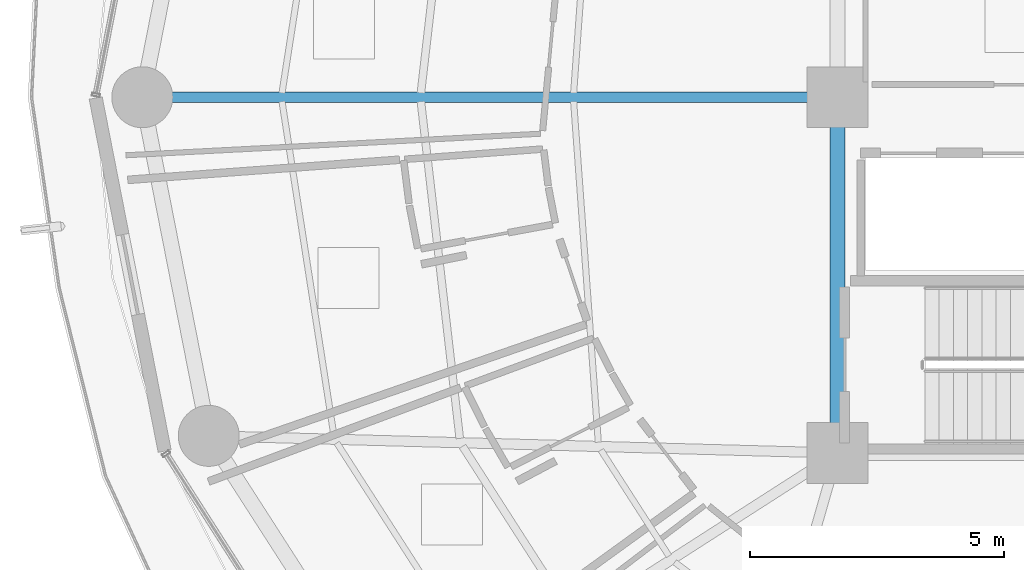
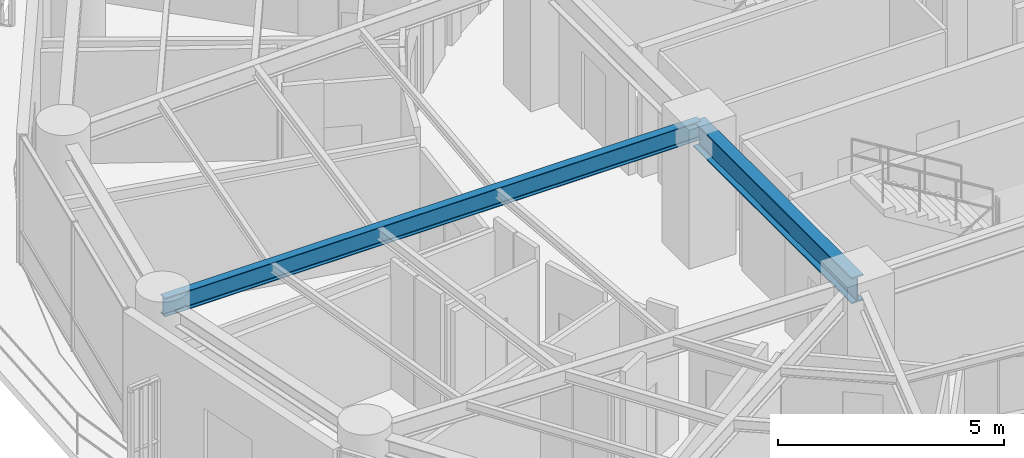
# One storey, part 7 of 28: 2 beams.
"""IFC4 building model written with IfcOpenShell, lengths in metres."""

from ifc_helpers import new_model, si_unit, direction, frame, origin, origin_2d, place, context, subcontext, project, spatial, i_section, extrude, material, material_profile, profile_set, type_object, element, save


model = new_model("IFC4")

# Units and contexts
model_context = context("Model", 3, precision=1e-05, world=origin(), true_north=direction((0.0, 1.0)))
body_context = subcontext(model_context, "Body", "Model", "MODEL_VIEW")
ifc_project = project(units=[si_unit("LENGTHUNIT", "METRE"), si_unit("AREAUNIT", "SQUARE_METRE"), si_unit("VOLUMEUNIT", "CUBIC_METRE"), si_unit("PLANEANGLEUNIT", "RADIAN"), si_unit("MASSUNIT", "GRAM", prefix="KILO")], contexts=[model_context])

# Site, building, storey
site_placement = place(None, origin())
site = spatial("IfcSite", under=ifc_project, at=site_placement, CompositionType="ELEMENT")
building_placement = place(site_placement, origin())
building = spatial("IfcBuilding", under=site, at=building_placement, Name="Kelanora Arch Commons", CompositionType="ELEMENT")
storey_placement = place(building_placement, frame((0.0, 0.0, 139.35009765625)))
storey = spatial("IfcBuildingStorey", under=building, at=storey_placement, Name="L35", CompositionType="ELEMENT", Elevation=139.35009765625)

# Beams
ifc_material = material(Name="Steel S355", Category="steel")
ifc_material_profile_1 = material_profile(ifc_material, i_section(OverallWidth=0.300048828125, OverallDepth=0.699951171875, WebThickness=0.01708984375, FlangeThickness=0.031982421875, FilletRadius=0.027099609375, at=origin_2d()), Name="HEB700")
ifc_profile_set_1 = profile_set([ifc_material_profile_1], Name="Steel S355")
beam_type_1 = type_object("IfcBeamType", Name="BM-CORE-HDR", PredefinedType="BEAM", material=ifc_profile_set_1)
beam_1_placement = place(storey_placement, frame((66.0, 58.0, 3.139892578125), z_axis=(0.0, -1.0, 0.0), x_axis=(1.0, 0.0, 0.0)))
element("IfcBeam", 1, at=beam_1_placement, inside=storey, type_object=beam_type_1, Name="Core Header Beam 09 L35", PredefinedType="BEAM", context=body_context, shape_type="SweptSolid", body=[
    extrude(i_section(OverallWidth=0.300048828125, OverallDepth=0.699951171875, WebThickness=0.01708984375, FlangeThickness=0.031982421875, FilletRadius=0.027099609375, at=origin_2d()), origin(), (0.0, 0.0, 1.0), 7.0),
])
ifc_material_profile_2 = material_profile(ifc_material, i_section(OverallWidth=0.199951171875, OverallDepth=0.5, WebThickness=0.01025390625, FlangeThickness=0.01611328125, FilletRadius=0.02099609375, at=origin_2d()), Name="IPE500")
ifc_profile_set_2 = profile_set([ifc_material_profile_2], Name="Steel S355")
beam_type_2 = type_object("IfcBeamType", Name="BM-RAD-Z3", PredefinedType="BEAM", material=ifc_profile_set_2)
beam_2_placement = place(storey_placement, frame((66.0, 58.0, 3.239990234375), z_axis=(-1.0, 0.0, 0.0), x_axis=(0.0, -1.0, 0.0)))
element("IfcBeam", 2, at=beam_2_placement, inside=storey, type_object=beam_type_2, Name="Radial Floor Girder BR-18 L35", PredefinedType="BEAM", context=body_context, shape_type="SweptSolid", body=[
    extrude(i_section(OverallWidth=0.199951171875, OverallDepth=0.5, WebThickness=0.01025390625, FlangeThickness=0.01611328125, FilletRadius=0.02099609375, at=origin_2d()), origin(), (0.0, 0.0, 1.0), 13.679931640625),
])

save(model, "model.ifc")
